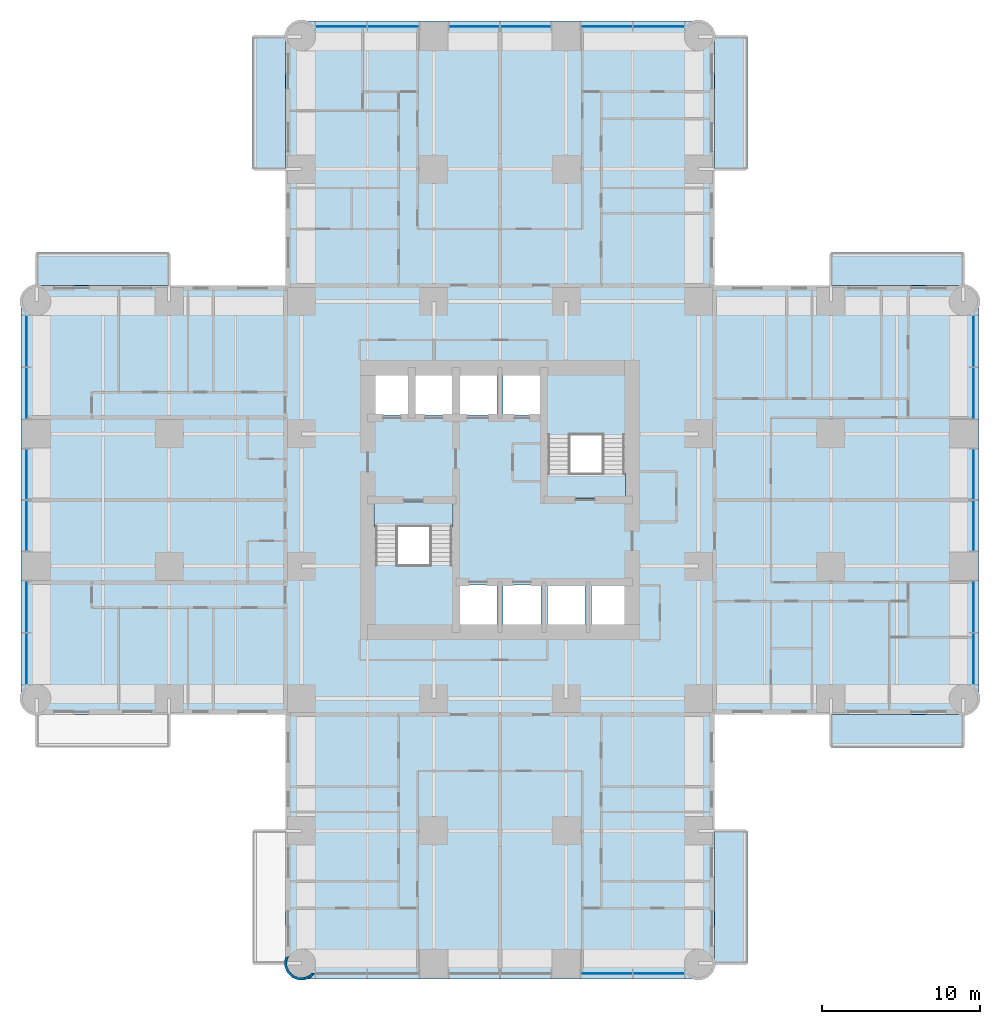
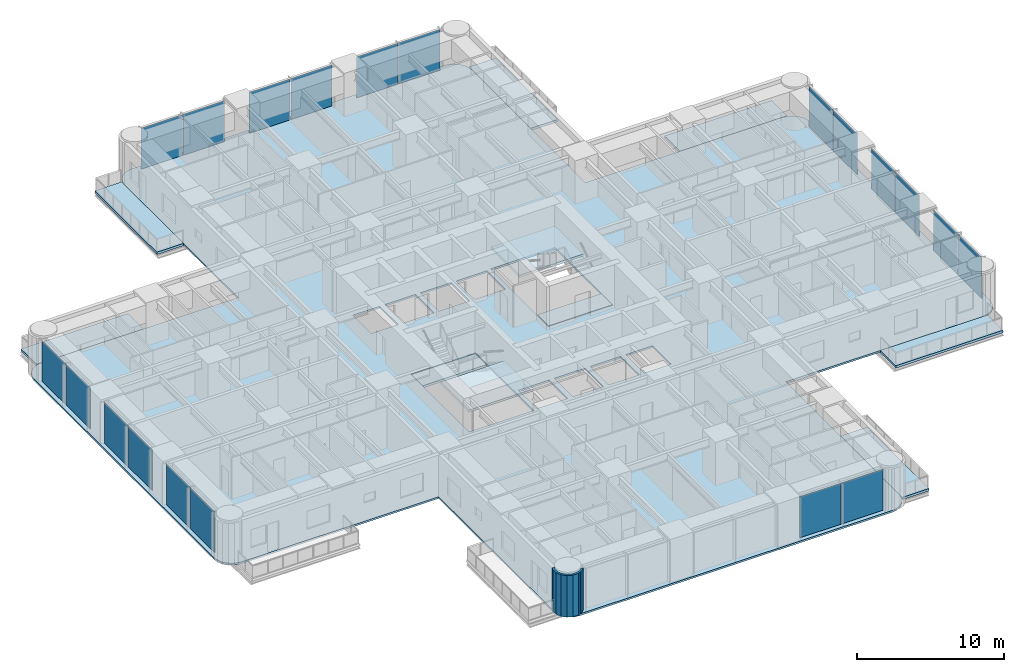
# One storey, part 6 of 17: 20 plates, 11 slabs, 1 wall, 6 elements without a shape of their own.
"""IFC4 building model written with IfcOpenShell, lengths in metres."""

import ifcopenshell
import ifcopenshell.guid

model = None  # the IFC model being written
_history = None  # IfcOwnerHistory: only IFC2X3 demands one
_inside = {}  # id of a spatial element -> (the spatial element, [elements in it])
_under = {}  # id of a project, library or spatial element -> (it, [spatial elements below it])
_declared = {}  # id of a project -> (the project, [libraries it declares])
_typed = {}  # id of a type object -> (the type object, [elements of that type])
_made_of = {}  # id of a material, layer set ... -> (it, [elements and type objects made of it])


def new_model(schema):
    """Start an empty IFC model of exactly this schema.

    Asked for "IFC4X3", IfcOpenShell would pick the latest addendum, in which some entities
    have other attributes; the version numbers below select the first issue.
    IFC2X3 requires an IfcOwnerHistory on every rooted entity: one is made here for all.
    """
    global model, _history
    if schema == "IFC4X3":
        model = ifcopenshell.file(schema_version=(4, 3, 0, 0))
    else:
        model = ifcopenshell.file(schema=schema)
    _inside.clear()
    _under.clear()
    _declared.clear()
    _typed.clear()
    _made_of.clear()
    _history = None
    if model.schema == "IFC2X3":
        org = make("IfcOrganization", Name="unknown")
        user = make(
            "IfcPersonAndOrganization",
            ThePerson=make("IfcPerson", FamilyName="unknown"),
            TheOrganization=org,
        )
        app = make(
            "IfcApplication",
            ApplicationDeveloper=org,
            Version="unknown",
            ApplicationFullName="unknown",
            ApplicationIdentifier="unknown",
        )
        _history = make(
            "IfcOwnerHistory",
            OwningUser=user,
            OwningApplication=app,
            ChangeAction="ADDED",
            CreationDate=0,
        )
    return model


def make(cls, **values):
    """One entity of the class cls with the attributes given. An attribute that is None is left unset."""
    return model.create_entity(
        cls, **{name: value for name, value in values.items() if value is not None}
    )


def rooted(cls, **values):
    """An entity with a GlobalId (a new one), such as an element, a storey or a relation."""
    return make(cls, GlobalId=ifcopenshell.guid.new(), OwnerHistory=_history, **values)


def si_unit(unit_type, name, prefix=None):
    """IfcSIUnit, for example si_unit("LENGTHUNIT", "METRE", prefix="MILLI")."""
    return make("IfcSIUnit", UnitType=unit_type, Prefix=prefix, Name=name)


def assignment(units):
    """IfcUnitAssignment: the units of a project."""
    return None if units is None else make("IfcUnitAssignment", Units=units)


def point(xyz):
    """IfcCartesianPoint."""
    return None if xyz is None else make("IfcCartesianPoint", Coordinates=xyz)


def direction(xyz):
    """IfcDirection."""
    return None if xyz is None else make("IfcDirection", DirectionRatios=xyz)


def frame(location, z_axis=None, x_axis=None):
    """IfcAxis2Placement3D, a coordinate frame: its origin and axes. An axis left out is left unset."""
    return make(
        "IfcAxis2Placement3D",
        Location=point(location),
        Axis=direction(z_axis),
        RefDirection=direction(x_axis),
    )


def frame_2d(location, x_axis=None):
    """IfcAxis2Placement2D, a coordinate frame in the plane: its origin and x axis."""
    return make(
        "IfcAxis2Placement2D", Location=point(location), RefDirection=direction(x_axis)
    )


def origin():
    """The frame at (0, 0, 0) with its axes left unset."""
    return frame((0.0, 0.0, 0.0))


def origin_2d():
    """The frame at (0, 0) in the plane with its x axis left unset."""
    return frame_2d((0.0, 0.0))


def place(relative_to, where):
    """IfcLocalPlacement: puts the frame where relative to a parent placement (None: the world)."""
    return make(
        "IfcLocalPlacement", PlacementRelTo=relative_to, RelativePlacement=where
    )


def context(
    kind, dimensions, precision=None, world=None, true_north=None, identifier=None
):
    """IfcGeometricRepresentationContext, for example the 3D "Model" context."""
    return make(
        "IfcGeometricRepresentationContext",
        ContextIdentifier=identifier,
        ContextType=kind,
        CoordinateSpaceDimension=dimensions,
        Precision=precision,
        WorldCoordinateSystem=world,
        TrueNorth=true_north,
    )


def subcontext(parent, identifier, kind, view, scale=None):
    """IfcGeometricRepresentationSubContext, for example "Body" below "Model"."""
    return make(
        "IfcGeometricRepresentationSubContext",
        ContextIdentifier=identifier,
        ContextType=kind,
        ParentContext=parent,
        TargetScale=scale,
        TargetView=view,
    )


def project(units=None, contexts=None):
    """IfcProject with its units and contexts."""
    return rooted(
        "IfcProject",
        Name="project",
        RepresentationContexts=contexts,
        UnitsInContext=assignment(units),
    )


def spatial(cls, under=None, at=None, **own):
    """A site, building, storey or space (cls), placed at a placement, below another one or the project."""
    s = rooted(cls, ObjectPlacement=at, **own)
    if under is not None:
        _under.setdefault(under.id(), (under, []))[1].append(s)
    return s


def polyline(points):
    """IfcPolyline through the points."""
    return make("IfcPolyline", Points=[point(p) for p in points])


def profile(cls, at=None, kind="AREA", **sizes):
    """A parametric profile (cls). Its sizes go by their IFC names, for example OverallWidth=200.0."""
    return make(cls, ProfileType=kind, Position=at, **sizes)


def rectangle(**sizes):
    """IfcRectangleProfileDef."""
    return profile("IfcRectangleProfileDef", **sizes)


def outline(outer, holes=None, kind="AREA"):
    """IfcArbitraryClosedProfileDef: a profile drawn as a closed curve; with holes, ...WithVoids."""
    if holes is None:
        return make("IfcArbitraryClosedProfileDef", ProfileType=kind, OuterCurve=outer)
    return make(
        "IfcArbitraryProfileDefWithVoids",
        ProfileType=kind,
        OuterCurve=outer,
        InnerCurves=holes,
    )


def extrude(swept, where, along, depth):
    """IfcExtrudedAreaSolid: the profile swept, set in the frame where, extruded along a direction by depth."""
    return make(
        "IfcExtrudedAreaSolid",
        SweptArea=swept,
        Position=where,
        ExtrudedDirection=direction(along),
        Depth=depth,
    )


def shape(context_of_items, identifier, shape_type, items):
    """IfcShapeRepresentation: the items that make up one representation, for example the "Body"."""
    return make(
        "IfcShapeRepresentation",
        ContextOfItems=context_of_items,
        RepresentationIdentifier=identifier,
        RepresentationType=shape_type,
        Items=items,
    )


def material(Name=None, Category=None):
    """IfcMaterial."""
    return make("IfcMaterial", Name=Name, Category=Category)


def layer(
    of_material, thickness, ventilated=None, Name=None, Category=None, Priority=None
):
    """IfcMaterialLayer: one layer of a wall or slab, of a material (None: an air gap)."""
    return make(
        "IfcMaterialLayer",
        Material=of_material,
        LayerThickness=thickness,
        IsVentilated=ventilated,
        Name=Name,
        Category=Category,
        Priority=Priority,
    )


def layer_set(layers, Name=None):
    """IfcMaterialLayerSet."""
    return make("IfcMaterialLayerSet", MaterialLayers=layers, LayerSetName=Name)


def made_of(thing, what):
    """Note that an element or type object is made of a material, layer set ...; save() writes the relation."""
    if what is not None:
        _made_of.setdefault(what.id(), (what, []))[1].append(thing)
    return thing


def type_object(cls, material=None, **own):
    """A type object (cls), such as IfcWallType, which elements share."""
    return made_of(rooted(cls, **own), material)


def element(
    cls,
    number,
    at=None,
    inside=None,
    cuts=None,
    type_object=None,
    material=None,
    context=None,
    identifier="Body",
    shape_type=None,
    held_by="IfcProductDefinitionShape",
    body=None,
    shapes=None,
    **own,
):
    """One element of the class cls, such as IfcWall. Its Tag is "e" and its number.

    at: its placement. inside: the storey or other place that contains it. cuts: it is an
    opening in that element (IfcRelVoidsElement). A single representation is given by context,
    identifier, shape_type and body (its items); several are given by shapes. held_by: the class
    of the entity that holds the representations. save() writes the other relations.
    """
    e = rooted(cls, Tag="e%d" % number, ObjectPlacement=at, **own)
    if body is not None:
        shapes = [shape(context, identifier, shape_type, body)]
    if shapes is not None:
        e.Representation = make(held_by, Representations=shapes)
    if inside is not None:
        _inside.setdefault(inside.id(), (inside, []))[1].append(e)
    if cuts is not None:
        rooted(
            "IfcRelVoidsElement", RelatingBuildingElement=cuts, RelatedOpeningElement=e
        )
    if type_object is not None:
        _typed.setdefault(type_object.id(), (type_object, []))[1].append(e)
    return made_of(e, material)


def aggregate(whole, parts):
    """IfcRelAggregates: a whole, such as a stair, and the parts it consists of."""
    return rooted("IfcRelAggregates", RelatingObject=whole, RelatedObjects=parts)


def save(model, path):
    """Write the relations noted so far, then the file.

    IfcRelAggregates (storeys below a building ...), IfcRelContainedInSpatialStructure (elements
    in a storey), IfcRelDefinesByType, IfcRelAssociatesMaterial and IfcRelDeclares: one each for
    every whole, place, type object, material and project.
    """
    for whole, parts in _under.values():
        aggregate(whole, parts)
    for where, things in _inside.values():
        rooted(
            "IfcRelContainedInSpatialStructure",
            RelatedElements=things,
            RelatingStructure=where,
        )
    for kind, things in _typed.values():
        rooted("IfcRelDefinesByType", RelatedObjects=things, RelatingType=kind)
    for what, things in _made_of.values():
        rooted("IfcRelAssociatesMaterial", RelatedObjects=things, RelatingMaterial=what)
    for by, libraries in _declared.values():
        rooted("IfcRelDeclares", RelatingContext=by, RelatedDefinitions=libraries)
    model.write(path)


model = new_model("IFC4")

# Units and contexts
model_context = context("Model", 3, precision=1e-05, world=origin(), true_north=direction((0.0, 1.0)))
body_context = subcontext(model_context, "Body", "Model", "MODEL_VIEW")
ifc_project = project(units=[si_unit("LENGTHUNIT", "METRE"), si_unit("AREAUNIT", "SQUARE_METRE"), si_unit("VOLUMEUNIT", "CUBIC_METRE"), si_unit("PLANEANGLEUNIT", "RADIAN"), si_unit("MASSUNIT", "GRAM", prefix="KILO")], contexts=[model_context])

# Site, building, storey
site_placement = place(None, origin())
site = spatial("IfcSite", under=ifc_project, at=site_placement, CompositionType="ELEMENT")
building_placement = place(site_placement, origin())
building = spatial("IfcBuilding", under=site, at=building_placement, Name="Torre Alcanfor", CompositionType="ELEMENT")
storey_placement = place(building_placement, frame((0.0, 0.0, 74.10009765625)))
storey = spatial("IfcBuildingStorey", under=building, at=storey_placement, Name="L18", CompositionType="ELEMENT", Elevation=74.10009765625)

# Slabs
ifc_material_1 = material(Name="Concrete f'c 35 MPa", Category="concrete")
ifc_layer_1 = layer(ifc_material_1, 0.199951171875)
ifc_layer_set_1 = layer_set([ifc_layer_1], Name="Balcony slab 200")
slab_type_1 = type_object("IfcSlabType", Name="Balcony slab 200", PredefinedType="FLOOR", material=ifc_layer_set_1)
slab_1_placement = place(storey_placement, frame((0.0, 0.0, -0.2001953125)))
element("IfcSlab", 1, at=slab_1_placement, inside=storey, type_object=slab_type_1, Name="Balcony L18-N1", PredefinedType="FLOOR", context=body_context, shape_type="SweptSolid", body=[
    extrude(outline(polyline([(15.800048828125, 50.39990234375), (15.800048828125, 58.800048828125), (13.699951171875, 58.800048828125), (13.699951171875, 50.39990234375), (15.800048828125, 50.39990234375)])), origin(), (0.0, 0.0, 1.0), 0.2001953125),
])
slab_2_placement = place(storey_placement, frame((0.0, 0.0, -0.2001953125)))
element("IfcSlab", 2, at=slab_2_placement, inside=storey, type_object=slab_type_1, Name="Balcony L18-N2", PredefinedType="FLOOR", context=body_context, shape_type="SweptSolid", body=[
    extrude(outline(polyline([(45.10009765625, 50.39990234375), (45.10009765625, 58.800048828125), (43.0, 58.800048828125), (43.0, 50.39990234375), (45.10009765625, 50.39990234375)])), origin(), (0.0, 0.0, 1.0), 0.2001953125),
])
slab_3_placement = place(storey_placement, frame((0.0, 0.0, -0.2001953125)))
element("IfcSlab", 3, at=slab_3_placement, inside=storey, type_object=slab_type_1, Name="Balcony L18-E1", PredefinedType="FLOOR", context=body_context, shape_type="SweptSolid", body=[
    extrude(outline(polyline([(50.39990234375, 43.0), (58.800048828125, 43.0), (58.800048828125, 45.10009765625), (50.39990234375, 45.10009765625), (50.39990234375, 43.0)])), origin(), (0.0, 0.0, 1.0), 0.2001953125),
])
slab_4_placement = place(storey_placement, frame((0.0, 0.0, -0.2001953125)))
element("IfcSlab", 4, at=slab_4_placement, inside=storey, type_object=slab_type_1, Name="Balcony L18-E2", PredefinedType="FLOOR", context=body_context, shape_type="SweptSolid", body=[
    extrude(outline(polyline([(50.39990234375, 13.699951171875), (58.800048828125, 13.699951171875), (58.800048828125, 15.800048828125), (50.39990234375, 15.800048828125), (50.39990234375, 13.699951171875)])), origin(), (0.0, 0.0, 1.0), 0.2001953125),
])
slab_5_placement = place(storey_placement, frame((0.0, 0.0, -0.2001953125)))
element("IfcSlab", 5, at=slab_5_placement, inside=storey, type_object=slab_type_1, Name="Balcony L18-S1", PredefinedType="FLOOR", context=body_context, shape_type="SweptSolid", body=[
    extrude(outline(polyline([(43.0, 8.39990234375), (43.0, 0.0), (45.10009765625, 0.0), (45.10009765625, 8.39990234375), (43.0, 8.39990234375)])), origin(), (0.0, 0.0, 1.0), 0.2001953125),
])
slab_6_placement = place(storey_placement, frame((0.0, 0.0, -0.2001953125)))
element("IfcSlab", 6, at=slab_6_placement, inside=storey, type_object=slab_type_1, Name="Balcony L18-W2", PredefinedType="FLOOR", context=body_context, shape_type="SweptSolid", body=[
    extrude(outline(polyline([(8.39990234375, 45.10009765625), (0.0, 45.10009765625), (0.0, 43.0), (8.39990234375, 43.0), (8.39990234375, 45.10009765625)])), origin(), (0.0, 0.0, 1.0), 0.2001953125),
])

# Curtain wall, plates
ifc_material_2 = material(Name="Aluminium and glass", Category="aluminium")
curtain_wall_type = type_object("IfcCurtainWallType", Name="CW-A unitised apartment glazing with vertical FIN", PredefinedType="NOTDEFINED", material=ifc_material_2)
curtain_wall_1_placement = place(storey_placement, origin())
curtain_wall_1 = element("IfcCurtainWall", 7, at=curtain_wall_1_placement, inside=storey, type_object=curtain_wall_type, Name="Curtain wall CW-A L18 2", PredefinedType="NOTDEFINED")
ifc_material_3 = material(Name="Glass", Category="glass")
ifc_layer_2 = layer(ifc_material_3, 0.028076171875)
ifc_layer_set_2 = layer_set([ifc_layer_2], Name="CW-A clear double glazed unit")
plate_type = type_object("IfcPlateType", Name="CW-A clear double glazed unit", PredefinedType="CURTAIN_PANEL", material=ifc_layer_set_2)
plate_1_placement = place(storey_placement, frame((-0.64990234375, 39.484130859375, 0.0), z_axis=(0.0, 0.0, 1.0), x_axis=(0.0, -1.0, 0.0)))
plate_1 = element("IfcPlate", 8, at=plate_1_placement, type_object=plate_type, Name="CW-A panel 1.1.1", PredefinedType="CURTAIN_PANEL", context=body_context, shape_type="SweptSolid", body=[
    extrude(rectangle(XDim=3.232666015625, YDim=0.028076171875, at=origin_2d()), origin(), (0.0, 0.0, 1.0), 3.385009765625),
])
plate_2_placement = place(storey_placement, frame((-0.64990234375, 36.186279296875, 0.0), z_axis=(0.0, 0.0, 1.0), x_axis=(0.0, -1.0, 0.0)))
plate_2 = element("IfcPlate", 9, at=plate_2_placement, type_object=plate_type, Name="CW-A panel 1.2.1", PredefinedType="CURTAIN_PANEL", context=body_context, shape_type="SweptSolid", body=[
    extrude(rectangle(XDim=3.232666015625, YDim=0.028076171875, at=origin_2d()), origin(), (0.0, 0.0, 1.0), 3.385009765625),
])
plate_3_placement = place(storey_placement, frame((-0.64990234375, 31.03125, 0.0), z_axis=(0.0, 0.0, 1.0), x_axis=(0.0, -1.0, 0.0)))
plate_3 = element("IfcPlate", 10, at=plate_3_placement, type_object=plate_type, Name="CW-A panel 2.1.1", PredefinedType="CURTAIN_PANEL", context=body_context, shape_type="SweptSolid", body=[
    extrude(rectangle(XDim=3.197509765625, YDim=0.028076171875, at=origin_2d()), origin(), (0.0, 0.0, 1.0), 3.385009765625),
])
plate_4_placement = place(storey_placement, frame((-0.64990234375, 27.768798828125, 0.0), z_axis=(0.0, 0.0, 1.0), x_axis=(0.0, -1.0, 0.0)))
plate_4 = element("IfcPlate", 11, at=plate_4_placement, type_object=plate_type, Name="CW-A panel 2.2.1", PredefinedType="CURTAIN_PANEL", context=body_context, shape_type="SweptSolid", body=[
    extrude(rectangle(XDim=3.197509765625, YDim=0.028076171875, at=origin_2d()), origin(), (0.0, 0.0, 1.0), 3.385009765625),
])
plate_5_placement = place(storey_placement, frame((-0.64990234375, 22.613525390625, 0.0), z_axis=(0.0, 0.0, 1.0), x_axis=(0.0, -1.0, 0.0)))
plate_5 = element("IfcPlate", 12, at=plate_5_placement, type_object=plate_type, Name="CW-A panel 3.1.1", PredefinedType="CURTAIN_PANEL", context=body_context, shape_type="SweptSolid", body=[
    extrude(rectangle(XDim=3.232666015625, YDim=0.028076171875, at=origin_2d()), origin(), (0.0, 0.0, 1.0), 3.385009765625),
])
plate_6_placement = place(storey_placement, frame((-0.64990234375, 19.31591796875, 0.0), z_axis=(0.0, 0.0, 1.0), x_axis=(0.0, -1.0, 0.0)))
plate_6 = element("IfcPlate", 13, at=plate_6_placement, type_object=plate_type, Name="CW-A panel 3.2.1", PredefinedType="CURTAIN_PANEL", context=body_context, shape_type="SweptSolid", body=[
    extrude(rectangle(XDim=3.232666015625, YDim=0.028076171875, at=origin_2d()), origin(), (0.0, 0.0, 1.0), 3.385009765625),
])
aggregate(curtain_wall_1, [plate_1, plate_2, plate_3, plate_4, plate_5, plate_6])

curtain_wall_2_placement = place(storey_placement, origin())
curtain_wall_2 = element("IfcCurtainWall", 14, at=curtain_wall_2_placement, inside=storey, type_object=curtain_wall_type, Name="Curtain wall CW-A L18 5", PredefinedType="NOTDEFINED")
plate_7_placement = place(storey_placement, frame((36.186279296875, -0.64990234375, 0.0), z_axis=(0.0, 0.0, 1.0), x_axis=(1.0, 0.0, 0.0)))
plate_7 = element("IfcPlate", 15, at=plate_7_placement, type_object=plate_type, Name="CW-A panel 3.1.1", PredefinedType="CURTAIN_PANEL", context=body_context, shape_type="SweptSolid", body=[
    extrude(rectangle(XDim=3.232666015625, YDim=0.028076171875, at=origin_2d()), origin(), (0.0, 0.0, 1.0), 3.385009765625),
])
plate_8_placement = place(storey_placement, frame((39.484130859375, -0.64990234375, 0.0), z_axis=(0.0, 0.0, 1.0), x_axis=(1.0, 0.0, 0.0)))
plate_8 = element("IfcPlate", 16, at=plate_8_placement, type_object=plate_type, Name="CW-A panel 3.2.1", PredefinedType="CURTAIN_PANEL", context=body_context, shape_type="SweptSolid", body=[
    extrude(rectangle(XDim=3.232666015625, YDim=0.028076171875, at=origin_2d()), origin(), (0.0, 0.0, 1.0), 3.385009765625),
])
aggregate(curtain_wall_2, [plate_7, plate_8])

curtain_wall_3_placement = place(storey_placement, origin())
curtain_wall_3 = element("IfcCurtainWall", 17, at=curtain_wall_3_placement, inside=storey, type_object=curtain_wall_type, Name="Curtain wall CW-A L18 8", PredefinedType="NOTDEFINED")
plate_9_placement = place(storey_placement, frame((59.449951171875, 19.31591796875, 0.0), z_axis=(0.0, 0.0, 1.0), x_axis=(0.0, 1.0, 0.0)))
plate_9 = element("IfcPlate", 18, at=plate_9_placement, type_object=plate_type, Name="CW-A panel 1.1.1", PredefinedType="CURTAIN_PANEL", context=body_context, shape_type="SweptSolid", body=[
    extrude(rectangle(XDim=3.232666015625, YDim=0.028076171875, at=origin_2d()), origin(), (0.0, 0.0, 1.0), 3.385009765625),
])
plate_10_placement = place(storey_placement, frame((59.449951171875, 22.613525390625, 0.0), z_axis=(0.0, 0.0, 1.0), x_axis=(0.0, 1.0, 0.0)))
plate_10 = element("IfcPlate", 19, at=plate_10_placement, type_object=plate_type, Name="CW-A panel 1.2.1", PredefinedType="CURTAIN_PANEL", context=body_context, shape_type="SweptSolid", body=[
    extrude(rectangle(XDim=3.232666015625, YDim=0.028076171875, at=origin_2d()), origin(), (0.0, 0.0, 1.0), 3.385009765625),
])
plate_11_placement = place(storey_placement, frame((59.449951171875, 27.768798828125, 0.0), z_axis=(0.0, 0.0, 1.0), x_axis=(0.0, 1.0, 0.0)))
plate_11 = element("IfcPlate", 20, at=plate_11_placement, type_object=plate_type, Name="CW-A panel 2.1.1", PredefinedType="CURTAIN_PANEL", context=body_context, shape_type="SweptSolid", body=[
    extrude(rectangle(XDim=3.197509765625, YDim=0.028076171875, at=origin_2d()), origin(), (0.0, 0.0, 1.0), 3.385009765625),
])
plate_12_placement = place(storey_placement, frame((59.449951171875, 31.03125, 0.0), z_axis=(0.0, 0.0, 1.0), x_axis=(0.0, 1.0, 0.0)))
plate_12 = element("IfcPlate", 21, at=plate_12_placement, type_object=plate_type, Name="CW-A panel 2.2.1", PredefinedType="CURTAIN_PANEL", context=body_context, shape_type="SweptSolid", body=[
    extrude(rectangle(XDim=3.197509765625, YDim=0.028076171875, at=origin_2d()), origin(), (0.0, 0.0, 1.0), 3.385009765625),
])
plate_13_placement = place(storey_placement, frame((59.449951171875, 36.186279296875, 0.0), z_axis=(0.0, 0.0, 1.0), x_axis=(0.0, 1.0, 0.0)))
plate_13 = element("IfcPlate", 22, at=plate_13_placement, type_object=plate_type, Name="CW-A panel 3.1.1", PredefinedType="CURTAIN_PANEL", context=body_context, shape_type="SweptSolid", body=[
    extrude(rectangle(XDim=3.232666015625, YDim=0.028076171875, at=origin_2d()), origin(), (0.0, 0.0, 1.0), 3.385009765625),
])
plate_14_placement = place(storey_placement, frame((59.449951171875, 39.484130859375, 0.0), z_axis=(0.0, 0.0, 1.0), x_axis=(0.0, 1.0, 0.0)))
plate_14 = element("IfcPlate", 23, at=plate_14_placement, type_object=plate_type, Name="CW-A panel 3.2.1", PredefinedType="CURTAIN_PANEL", context=body_context, shape_type="SweptSolid", body=[
    extrude(rectangle(XDim=3.232666015625, YDim=0.028076171875, at=origin_2d()), origin(), (0.0, 0.0, 1.0), 3.385009765625),
])
aggregate(curtain_wall_3, [plate_9, plate_10, plate_11, plate_12, plate_13, plate_14])

curtain_wall_4_placement = place(storey_placement, origin())
curtain_wall_4 = element("IfcCurtainWall", 24, at=curtain_wall_4_placement, inside=storey, type_object=curtain_wall_type, Name="Curtain wall CW-A L18 11", PredefinedType="NOTDEFINED")
plate_15_placement = place(storey_placement, frame((39.484130859375, 59.449951171875, 0.0), z_axis=(0.0, 0.0, 1.0), x_axis=(-1.0, 0.0, 0.0)))
plate_15 = element("IfcPlate", 25, at=plate_15_placement, type_object=plate_type, Name="CW-A panel 1.1.1", PredefinedType="CURTAIN_PANEL", context=body_context, shape_type="SweptSolid", body=[
    extrude(rectangle(XDim=3.232666015625, YDim=0.028076171875, at=origin_2d()), origin(), (0.0, 0.0, 1.0), 3.385009765625),
])
plate_16_placement = place(storey_placement, frame((36.186279296875, 59.449951171875, 0.0), z_axis=(0.0, 0.0, 1.0), x_axis=(-1.0, 0.0, 0.0)))
plate_16 = element("IfcPlate", 26, at=plate_16_placement, type_object=plate_type, Name="CW-A panel 1.2.1", PredefinedType="CURTAIN_PANEL", context=body_context, shape_type="SweptSolid", body=[
    extrude(rectangle(XDim=3.232666015625, YDim=0.028076171875, at=origin_2d()), origin(), (0.0, 0.0, 1.0), 3.385009765625),
])
plate_17_placement = place(storey_placement, frame((31.03125, 59.449951171875, 0.0), z_axis=(0.0, 0.0, 1.0), x_axis=(-1.0, 0.0, 0.0)))
plate_17 = element("IfcPlate", 27, at=plate_17_placement, type_object=plate_type, Name="CW-A panel 2.1.1", PredefinedType="CURTAIN_PANEL", context=body_context, shape_type="SweptSolid", body=[
    extrude(rectangle(XDim=3.197509765625, YDim=0.028076171875, at=origin_2d()), origin(), (0.0, 0.0, 1.0), 3.385009765625),
])
plate_18_placement = place(storey_placement, frame((27.768798828125, 59.449951171875, 0.0), z_axis=(0.0, 0.0, 1.0), x_axis=(-1.0, 0.0, 0.0)))
plate_18 = element("IfcPlate", 28, at=plate_18_placement, type_object=plate_type, Name="CW-A panel 2.2.1", PredefinedType="CURTAIN_PANEL", context=body_context, shape_type="SweptSolid", body=[
    extrude(rectangle(XDim=3.197509765625, YDim=0.028076171875, at=origin_2d()), origin(), (0.0, 0.0, 1.0), 3.385009765625),
])
plate_19_placement = place(storey_placement, frame((22.613525390625, 59.449951171875, 0.0), z_axis=(0.0, 0.0, 1.0), x_axis=(-1.0, 0.0, 0.0)))
plate_19 = element("IfcPlate", 29, at=plate_19_placement, type_object=plate_type, Name="CW-A panel 3.1.1", PredefinedType="CURTAIN_PANEL", context=body_context, shape_type="SweptSolid", body=[
    extrude(rectangle(XDim=3.232666015625, YDim=0.028076171875, at=origin_2d()), origin(), (0.0, 0.0, 1.0), 3.385009765625),
])
plate_20_placement = place(storey_placement, frame((19.31591796875, 59.449951171875, 0.0), z_axis=(0.0, 0.0, 1.0), x_axis=(-1.0, 0.0, 0.0)))
plate_20 = element("IfcPlate", 30, at=plate_20_placement, type_object=plate_type, Name="CW-A panel 3.2.1", PredefinedType="CURTAIN_PANEL", context=body_context, shape_type="SweptSolid", body=[
    extrude(rectangle(XDim=3.232666015625, YDim=0.028076171875, at=origin_2d()), origin(), (0.0, 0.0, 1.0), 3.385009765625),
])
aggregate(curtain_wall_4, [plate_15, plate_16, plate_17, plate_18, plate_19, plate_20])

# Slab
ifc_material_4 = material(Name="Concrete f'c 35 MPa", Category="concrete")
ifc_layer_3 = layer(ifc_material_4, 0.14990234375)
ifc_layer_set_3 = layer_set([ifc_layer_3], Name="Composite floor 150 on metal deck")
slab_type_2 = type_object("IfcSlabType", Name="Composite floor 150 on metal deck", PredefinedType="FLOOR", material=ifc_layer_set_3)
slab_7_placement = place(storey_placement, frame((0.0, 0.0, -0.150146484375)))
element("IfcSlab", 31, at=slab_7_placement, inside=storey, type_object=slab_type_2, Name="Floor slab L18", PredefinedType="FLOOR", context=body_context, shape_type="SweptSolid", body=[
    extrude(outline(polyline([(15.800048828125, 43.0), (0.39990234375, 43.0), (0.03759765625, 42.952392578125), (-0.300048828125, 42.8125), (-0.58984375, 42.58984375), (-0.8125, 42.300048828125), (-0.952392578125, 41.96240234375), (-1.0, 41.60009765625), (-1.0, 17.199951171875), (-0.952392578125, 16.837646484375), (-0.8125, 16.5), (-0.58984375, 16.210205078125), (-0.300048828125, 15.987548828125), (0.03759765625, 15.84765625), (0.39990234375, 15.800048828125), (15.800048828125, 15.800048828125), (15.800048828125, 0.39990234375), (15.84765625, 0.03759765625), (15.987548828125, -0.300048828125), (16.210205078125, -0.58984375), (16.5, -0.8125), (16.837646484375, -0.952392578125), (17.199951171875, -1.0), (41.60009765625, -1.0), (41.96240234375, -0.952392578125), (42.300048828125, -0.8125), (42.58984375, -0.58984375), (42.8125, -0.300048828125), (42.952392578125, 0.03759765625), (43.0, 0.39990234375), (43.0, 15.800048828125), (58.39990234375, 15.800048828125), (58.76220703125, 15.84765625), (59.10009765625, 15.987548828125), (59.389892578125, 16.210205078125), (59.6123046875, 16.5), (59.752197265625, 16.837646484375), (59.800048828125, 17.199951171875), (59.800048828125, 41.60009765625), (59.752197265625, 41.96240234375), (59.6123046875, 42.300048828125), (59.389892578125, 42.58984375), (59.10009765625, 42.8125), (58.76220703125, 42.952392578125), (58.39990234375, 43.0), (43.0, 43.0), (43.0, 58.39990234375), (42.952392578125, 58.76220703125), (42.8125, 59.10009765625), (42.58984375, 59.389892578125), (42.300048828125, 59.6123046875), (41.96240234375, 59.752197265625), (41.60009765625, 59.800048828125), (17.199951171875, 59.800048828125), (16.837646484375, 59.752197265625), (16.5, 59.6123046875), (16.210205078125, 59.389892578125), (15.987548828125, 59.10009765625), (15.84765625, 58.76220703125), (15.800048828125, 58.39990234375), (15.800048828125, 43.0)]), holes=[polyline([(21.419921875, 21.419921875), (26.47998046875, 21.419921875), (26.47998046875, 29.280029296875), (21.419921875, 29.280029296875), (21.419921875, 21.419921875)]), polyline([(32.320068359375, 29.52001953125), (37.3798828125, 29.52001953125), (37.3798828125, 37.3798828125), (32.320068359375, 37.3798828125), (32.320068359375, 29.52001953125)]), polyline([(26.800048828125, 21.5), (29.199951171875, 21.5), (29.199951171875, 24.0), (26.800048828125, 24.0), (26.800048828125, 21.5)]), polyline([(29.60009765625, 21.5), (32.0, 21.5), (32.0, 24.0), (29.60009765625, 24.0), (29.60009765625, 21.5)]), polyline([(32.39990234375, 21.5), (34.800048828125, 21.5), (34.800048828125, 24.0), (32.39990234375, 24.0), (32.39990234375, 21.5)]), polyline([(35.199951171875, 21.5), (37.300048828125, 21.5), (37.300048828125, 24.0), (35.199951171875, 24.0), (35.199951171875, 21.5)]), polyline([(21.5, 34.800048828125), (23.60009765625, 34.800048828125), (23.60009765625, 37.300048828125), (21.5, 37.300048828125), (21.5, 34.800048828125)]), polyline([(24.0, 34.800048828125), (26.39990234375, 34.800048828125), (26.39990234375, 37.300048828125), (24.0, 37.300048828125), (24.0, 34.800048828125)]), polyline([(26.800048828125, 34.800048828125), (29.199951171875, 34.800048828125), (29.199951171875, 37.300048828125), (26.800048828125, 37.300048828125), (26.800048828125, 34.800048828125)]), polyline([(29.60009765625, 34.800048828125), (32.0, 34.800048828125), (32.0, 37.300048828125), (29.60009765625, 37.300048828125), (29.60009765625, 34.800048828125)])]), origin(), (0.0, 0.0, 1.0), 0.150146484375),
])

# Stair, slabs
ifc_material_5 = material(Name="Concrete f'c 35 MPa", Category="concrete")
stair_type_1 = type_object("IfcStairType", Name="Exit stair S1 1400 wide", PredefinedType="HALF_TURN_STAIR", material=ifc_material_5)
stair_1_placement = place(storey_placement, origin())
stair_1 = element("IfcStair", 32, at=stair_1_placement, inside=storey, type_object=stair_type_1, Name="Stair S1 L18 to L19", PredefinedType="HALF_TURN_STAIR")
ifc_material_6 = material(Name="Concrete f'c 35 MPa", Category="concrete")
ifc_layer_4 = layer(ifc_material_6, 0.199951171875)
ifc_layer_set_4 = layer_set([ifc_layer_4], Name="Stair landing 200")
slab_type_3 = type_object("IfcSlabType", Name="Stair landing 200", PredefinedType="LANDING", material=ifc_layer_set_4)
slab_8_placement = place(storey_placement, frame((0.0, 0.0, -0.2001953125)))
slab_8 = element("IfcSlab", 33, at=slab_8_placement, type_object=slab_type_3, Name="S1 landing 1", PredefinedType="LANDING", context=body_context, shape_type="SweptSolid", body=[
    extrude(outline(polyline([(21.419921875, 27.699951171875), (26.429931640625, 27.699951171875), (26.429931640625, 29.22998046875), (21.419921875, 29.22998046875), (21.419921875, 27.699951171875)])), origin(), (0.0, 0.0, 1.0), 0.2001953125),
])
slab_9_placement = place(storey_placement, frame((0.0, 0.0, 1.599853515625)))
slab_9 = element("IfcSlab", 34, at=slab_9_placement, type_object=slab_type_3, Name="S1 landing 2", PredefinedType="LANDING", context=body_context, shape_type="SweptSolid", body=[
    extrude(outline(polyline([(21.419921875, 21.419921875), (26.429931640625, 21.419921875), (26.429931640625, 25.280029296875), (21.419921875, 25.280029296875), (21.419921875, 21.419921875)])), origin(), (0.0, 0.0, 1.0), 0.199951171875),
])
aggregate(stair_1, [slab_8, slab_9])

ifc_material_7 = material(Name="Concrete f'c 35 MPa", Category="concrete")
stair_type_2 = type_object("IfcStairType", Name="Exit stair S2 1400 wide", PredefinedType="HALF_TURN_STAIR", material=ifc_material_7)
stair_2_placement = place(storey_placement, origin())
stair_2 = element("IfcStair", 35, at=stair_2_placement, inside=storey, type_object=stair_type_2, Name="Stair S2 L18 to L19", PredefinedType="HALF_TURN_STAIR")
slab_10_placement = place(storey_placement, frame((0.0, 0.0, -0.2001953125)))
slab_10 = element("IfcSlab", 36, at=slab_10_placement, type_object=slab_type_3, Name="S2 landing 1", PredefinedType="LANDING", context=body_context, shape_type="SweptSolid", body=[
    extrude(outline(polyline([(32.3701171875, 29.570068359375), (37.3798828125, 29.570068359375), (37.3798828125, 31.10009765625), (32.3701171875, 31.10009765625), (32.3701171875, 29.570068359375)])), origin(), (0.0, 0.0, 1.0), 0.2001953125),
])
slab_11_placement = place(storey_placement, frame((0.0, 0.0, 1.599853515625)))
slab_11 = element("IfcSlab", 37, at=slab_11_placement, type_object=slab_type_3, Name="S2 landing 2", PredefinedType="LANDING", context=body_context, shape_type="SweptSolid", body=[
    extrude(outline(polyline([(32.3701171875, 33.52001953125), (37.3798828125, 33.52001953125), (37.3798828125, 37.3798828125), (32.3701171875, 37.3798828125), (32.3701171875, 33.52001953125)])), origin(), (0.0, 0.0, 1.0), 0.199951171875),
])
aggregate(stair_2, [slab_10, slab_11])

# Wall
ifc_material_8 = material(Name="Limestone cladding", Category="masonry")
ifc_layer_5 = layer(ifc_material_8, 0.0400390625, Name="Facing")
ifc_material_9 = material(Name="Ventilated air cavity")
ifc_layer_6 = layer(ifc_material_9, 0.02001953125, ventilated=True, Name="Ventilated joint")
ifc_material_10 = material(Name="Mineral wool insulation", Category="insulation")
ifc_layer_7 = layer(ifc_material_10, 0.10009765625, Name="Insulation")
ifc_material_11 = material(Name="Concrete f'c 35 MPa", Category="concrete")
ifc_layer_8 = layer(ifc_material_11, 0.139892578125, Name="Backing")
ifc_layer_set_5 = layer_set([ifc_layer_5, ifc_layer_6, ifc_layer_7, ifc_layer_8], Name="Rounded corner pier stone-clad 300")
wall_type = type_object("IfcWallType", Name="Rounded corner pier stone-clad 300", PredefinedType="SOLIDWALL", material=ifc_layer_set_5)
wall_placement = place(storey_placement, frame((15.890092843, 0.363962863, 0.0), z_axis=(0.0, 0.0, 1.0), x_axis=(-0.377204953059, -0.926129809145, 0.0)))
element("IfcWall", 38, at=wall_placement, inside=storey, type_object=wall_type, Name="Corner pier L18 15", PredefinedType="SOLIDWALL", context=body_context, shape_type="SweptSolid", body=[
    extrude(outline(polyline([(0.36025406326845444, 1.8033251535395152), (0.5088520451897254, 1.7407402151136773), (0.7605729288027181, 1.4858036812916837), (0.8957625945963965, 1.1538802047718164), (0.8938847377533284, 0.7953914035812757), (0.7547773157275899, 0.46510295554213366), (0.4997067670481534, 0.21306387496571194), (0.16778329052828606, 0.07787420917203358), (-0.09994023900030424, 0.0795504548732244), (0.0006804239564057041, -0.09694899646014049), (0.029999294732247404, -0.08026261581225796), (0.19856690358048068, -0.0812004843578153), (0.5888257049928043, 0.07774867310804906), (0.8888185520201115, 0.37418200048294215), (1.0525847078153452, 0.7630186897929918), (1.0551554850896743, 1.184529802966568), (0.896114236570817, 1.5750147102893275), (0.7776681844062314, 1.6949582431572732), (0.7691216165340404, 1.727592391840862), (0.7502462480266835, 1.7228043636692119), (0.599680909195924, 1.8750075573166347), (0.2945300212676607, 2.0035278056043833), (0.2809636666415082, 1.9980023424248052), (0.36025406326845444, 1.8033251535395152)])), origin(), (0.0, 0.0, 1.0), 3.449951171875),
])

save(model, "model.ifc")
